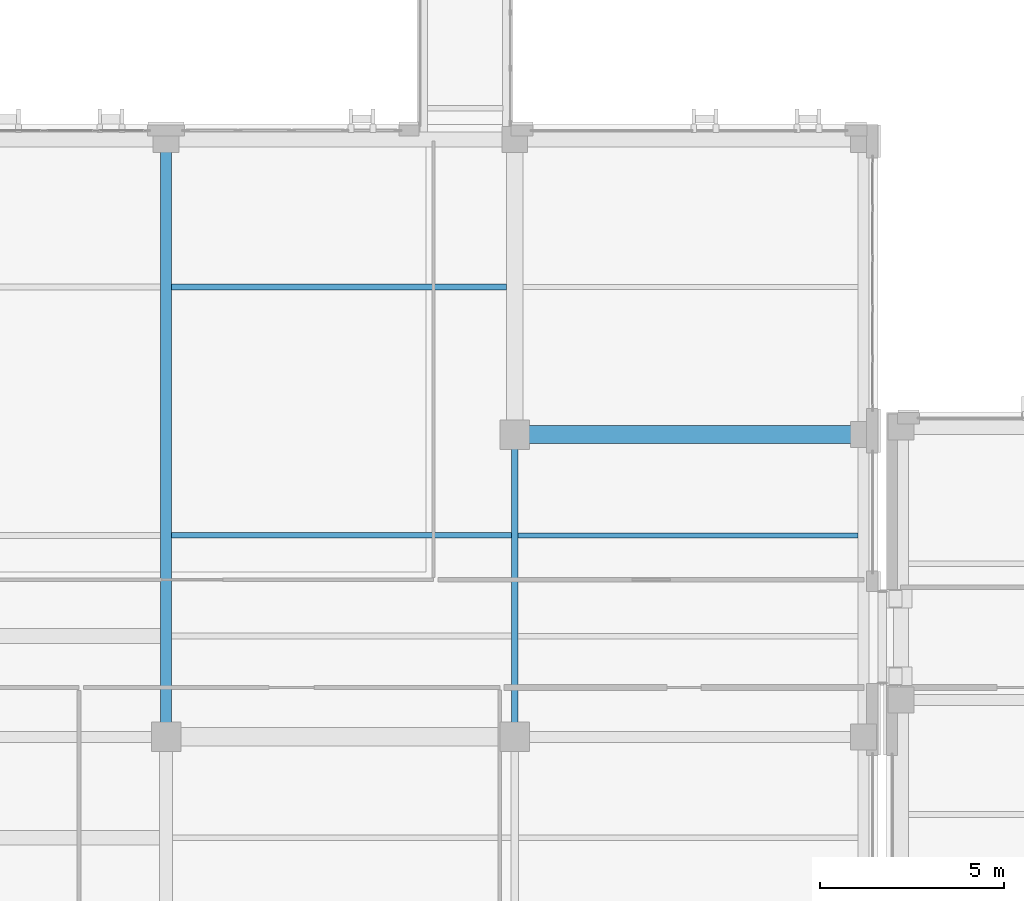
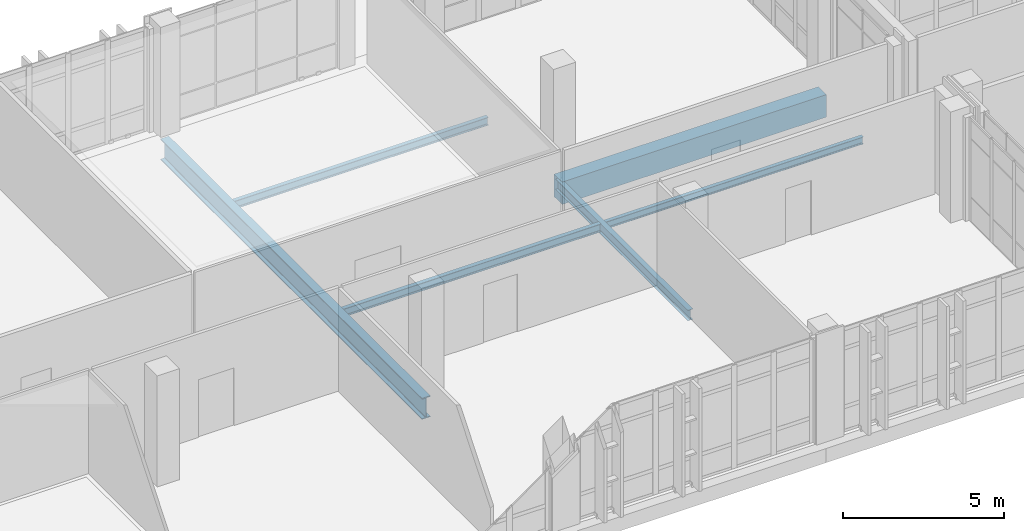
# One storey, part 41 of 193: 6 beams.
"""IFC4 building model written with IfcOpenShell, lengths in metres."""

from ifc_helpers import new_model, si_unit, direction, frame, origin, origin_2d, place, context, subcontext, project, spatial, rectangle, i_section, extrude, material, material_profile, profile_set, type_object, element, save


model = new_model("IFC4")

# Units and contexts
model_context = context("Model", 3, precision=1e-05, world=origin(), true_north=direction((0.0, 1.0)))
body_context = subcontext(model_context, "Body", "Model", "MODEL_VIEW")
ifc_project = project(units=[si_unit("LENGTHUNIT", "METRE"), si_unit("AREAUNIT", "SQUARE_METRE"), si_unit("VOLUMEUNIT", "CUBIC_METRE"), si_unit("PLANEANGLEUNIT", "RADIAN"), si_unit("MASSUNIT", "GRAM", prefix="KILO")], contexts=[model_context])

# Site, building, storey
site_placement = place(None, origin())
site = spatial("IfcSite", under=ifc_project, at=site_placement, CompositionType="ELEMENT")
building_placement = place(site_placement, origin())
building = spatial("IfcBuilding", under=site, at=building_placement, Name="Qalavern Law Courts", CompositionType="ELEMENT")
storey_placement = place(building_placement, frame((0.0, 0.0, 10.199951171875)))
storey = spatial("IfcBuildingStorey", under=building, at=storey_placement, Name="L02", CompositionType="ELEMENT", Elevation=10.199951171875)

# Beams
ifc_material_1 = material(Name="Steel S355", Category="steel")
ifc_material_profile_1 = material_profile(ifc_material_1, i_section(OverallWidth=0.300048828125, OverallDepth=0.800048828125, WebThickness=0.017578125, FlangeThickness=0.032958984375, FilletRadius=0.030029296875, at=origin_2d()), Name="HEB 800")
ifc_profile_set_1 = profile_set([ifc_material_profile_1], Name="Steel S355")
beam_type_1 = type_object("IfcBeamType", Name="STR-BM-HEB800", PredefinedType="BEAM", material=ifc_profile_set_1)
beam_1_placement = place(storey_placement, frame((81.891357421875, 13.800048828125, -0.68994140625), z_axis=(0.0, 1.0, 0.0), x_axis=(-1.0, 0.0, 0.0)))
element("IfcBeam", 1, at=beam_1_placement, inside=storey, type_object=beam_type_1, Name="V2 Y-beam 6-2 L02", PredefinedType="BEAM", context=body_context, shape_type="SweptSolid", body=[
    extrude(i_section(OverallWidth=0.300048828125, OverallDepth=0.800048828125, WebThickness=0.017578125, FlangeThickness=0.032958984375, FilletRadius=0.030029296875, at=origin_2d()), origin(), (0.0, 0.0, 1.0), 16.199951171875),
])
ifc_material_profile_2 = material_profile(ifc_material_1, i_section(OverallWidth=0.179931640625, OverallDepth=0.39990234375, WebThickness=0.008544921875, FlangeThickness=0.013427734375, FilletRadius=0.02099609375, at=origin_2d()), Name="IPE 400")
ifc_profile_set_2 = profile_set([ifc_material_profile_2], Name="Steel S355")
beam_type_2 = type_object("IfcBeamType", Name="STR-BM-IPE400", PredefinedType="BEAM", material=ifc_profile_set_2)
beam_2_placement = place(storey_placement, frame((91.345703125, 13.800048828125, -0.489990234375), z_axis=(0.0, 1.0, 0.0), x_axis=(-1.0, 0.0, 0.0)))
element("IfcBeam", 2, at=beam_2_placement, inside=storey, type_object=beam_type_2, Name="V2 Y-beam 7-2 L02", PredefinedType="BEAM", context=body_context, shape_type="SweptSolid", body=[
    extrude(i_section(OverallWidth=0.179931640625, OverallDepth=0.39990234375, WebThickness=0.008544921875, FlangeThickness=0.013427734375, FilletRadius=0.02099609375, at=origin_2d()), origin(), (0.0, 0.0, 1.0), 8.199951171875),
])
ifc_material_2 = material(Name="Concrete C40/50", Category="concrete")
ifc_material_profile_3 = material_profile(ifc_material_2, rectangle(XDim=0.5, YDim=0.85009765625, at=origin_2d()), Name="RC 500x850")
ifc_profile_set_3 = profile_set([ifc_material_profile_3], Name="Concrete C40/50")
beam_type_3 = type_object("IfcBeamType", Name="STR-BM-RC500x850", PredefinedType="BEAM", material=ifc_profile_set_3)
beam_3_placement = place(storey_placement, frame((91.345703125, 22.0, -0.71484375), z_axis=(1.0, 0.0, 0.0), x_axis=(0.0, 1.0, 0.0)))
element("IfcBeam", 3, at=beam_3_placement, inside=storey, type_object=beam_type_3, Name="V2 X-beam 3-3 L02", PredefinedType="BEAM", context=body_context, shape_type="SweptSolid", body=[
    extrude(rectangle(XDim=0.5, YDim=0.85009765625, at=origin_2d()), origin(), (0.0, 0.0, 1.0), 9.454345703125),
])
ifc_material_profile_4 = material_profile(ifc_material_1, i_section(OverallWidth=0.135009765625, OverallDepth=0.27001953125, WebThickness=0.006591796875, FlangeThickness=0.01025390625, FilletRadius=0.014892578125, at=origin_2d()), Name="IPE 270")
ifc_profile_set_4 = profile_set([ifc_material_profile_4], Name="Steel S355")
beam_type_4 = type_object("IfcBeamType", Name="STR-JST-IPE270", PredefinedType="JOIST", material=ifc_profile_set_4)
beam_4_placement = place(storey_placement, frame((91.43359375, 19.2666015625, -0.425048828125), z_axis=(1.0, 0.0, 0.0), x_axis=(0.0, 1.0, 0.0)))
element("IfcBeam", 4, at=beam_4_placement, inside=storey, type_object=beam_type_4, Name="V2 secondary joist 7.2.2 L02", PredefinedType="JOIST", context=body_context, shape_type="SweptSolid", body=[
    extrude(i_section(OverallWidth=0.135009765625, OverallDepth=0.27001953125, WebThickness=0.006591796875, FlangeThickness=0.01025390625, FilletRadius=0.014892578125, at=origin_2d()), origin(), (0.0, 0.0, 1.0), 9.218505859375),
])
ifc_material_profile_5 = material_profile(ifc_material_1, i_section(OverallWidth=0.14990234375, OverallDepth=0.300048828125, WebThickness=0.007080078125, FlangeThickness=0.0107421875, FilletRadius=0.014892578125, at=origin_2d()), Name="IPE 300")
ifc_profile_set_5 = profile_set([ifc_material_profile_5], Name="Steel S355")
beam_type_5 = type_object("IfcBeamType", Name="STR-JST-IPE300", PredefinedType="JOIST", material=ifc_profile_set_5)
beam_5_placement = place(storey_placement, frame((82.039306640625, 19.2666015625, -0.43994140625), z_axis=(1.0, 0.0, 0.0), x_axis=(0.0, 1.0, 0.0)))
element("IfcBeam", 5, at=beam_5_placement, inside=storey, type_object=beam_type_5, Name="V2 secondary joist 6.2.2 L02", PredefinedType="JOIST", context=body_context, shape_type="SweptSolid", body=[
    extrude(i_section(OverallWidth=0.14990234375, OverallDepth=0.300048828125, WebThickness=0.007080078125, FlangeThickness=0.0107421875, FilletRadius=0.014892578125, at=origin_2d()), origin(), (0.0, 0.0, 1.0), 9.218505859375),
])
beam_6_placement = place(storey_placement, frame((82.039306640625, 26.0, -0.43994140625), z_axis=(1.0, 0.0, 0.0), x_axis=(0.0, 1.0, 0.0)))
element("IfcBeam", 6, at=beam_6_placement, inside=storey, type_object=beam_type_5, Name="V2 secondary joist 6.3.1 L02", PredefinedType="JOIST", context=body_context, shape_type="SweptSolid", body=[
    extrude(i_section(OverallWidth=0.14990234375, OverallDepth=0.300048828125, WebThickness=0.007080078125, FlangeThickness=0.0107421875, FilletRadius=0.014892578125, at=origin_2d()), origin(), (0.0, 0.0, 1.0), 9.08349609375),
])

save(model, "model.ifc")
